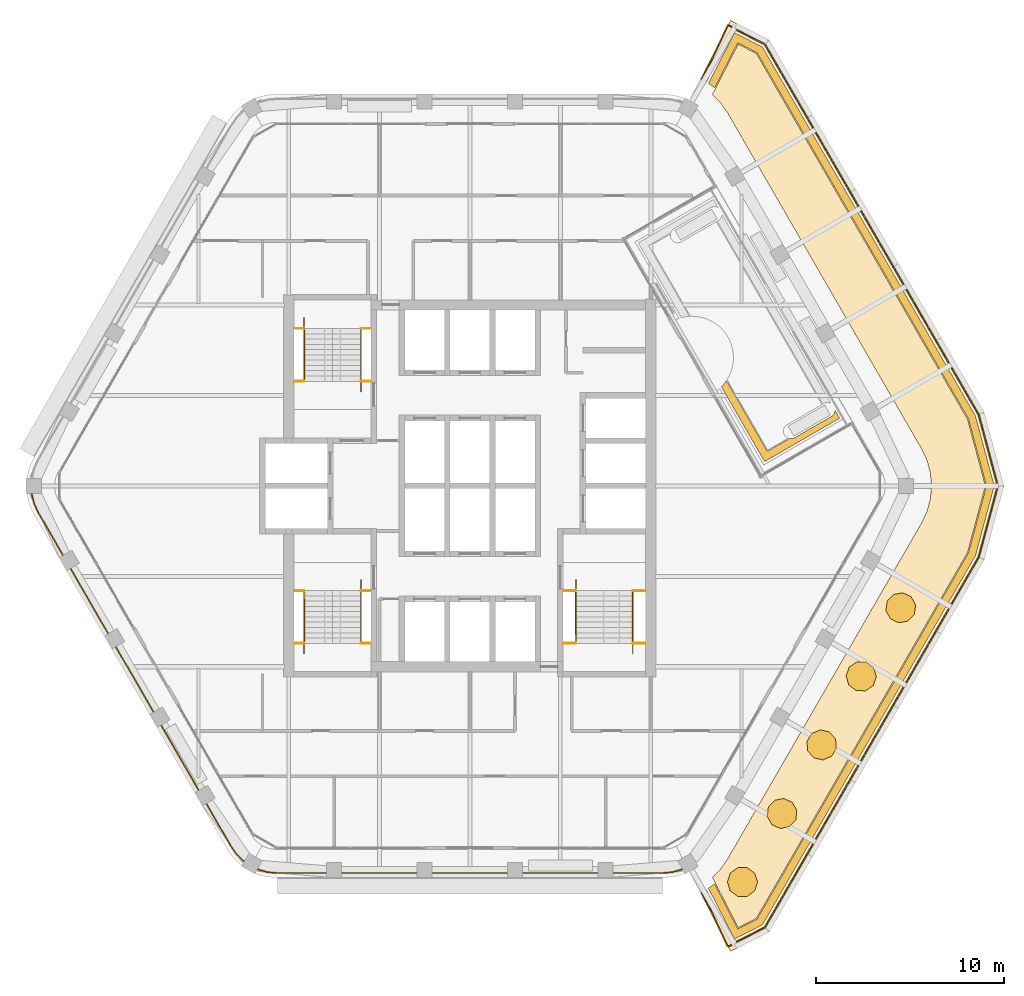
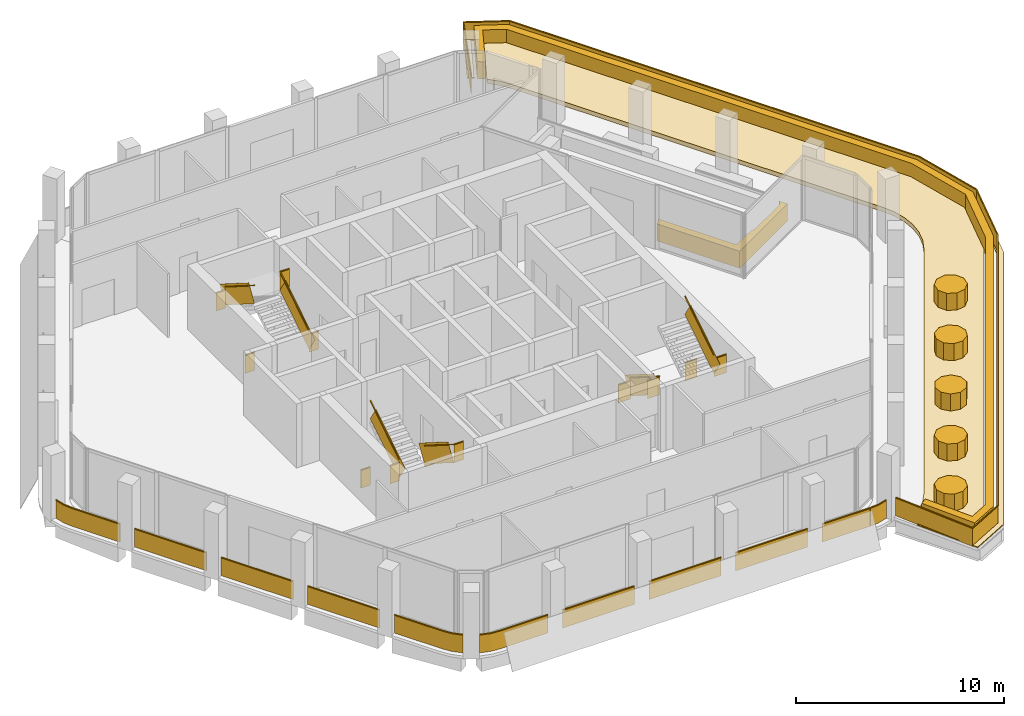
# One storey, part 16 of 17: 9 coverings, 9 railings.
"""IFC4 building model written with IfcOpenShell, lengths in metres."""

from ifc_helpers import new_model, si_unit, direction, frame, frame_2d, origin, origin_2d, place, context, subcontext, project, spatial, polyline, rectangle, outline, extrude, material, layer, layer_set, type_object, element, save


model = new_model("IFC4")

# Units and contexts
model_context = context("Model", 3, precision=1e-05, world=origin(), true_north=direction((0.0, 1.0)))
body_context = subcontext(model_context, "Body", "Model", "MODEL_VIEW")
ifc_project = project(units=[si_unit("LENGTHUNIT", "METRE"), si_unit("AREAUNIT", "SQUARE_METRE"), si_unit("VOLUMEUNIT", "CUBIC_METRE"), si_unit("PLANEANGLEUNIT", "RADIAN"), si_unit("MASSUNIT", "GRAM", prefix="KILO")], contexts=[model_context])

# Site, building, storey
site_placement = place(None, origin())
site = spatial("IfcSite", under=ifc_project, at=site_placement, CompositionType="ELEMENT")
building_placement = place(site_placement, origin())
building = spatial("IfcBuilding", under=site, at=building_placement, Name="Kolab Exchange Tower", CompositionType="ELEMENT")
storey_placement = place(building_placement, frame((0.0, 0.0, 285.199951171875)))
storey = spatial("IfcBuildingStorey", under=building, at=storey_placement, Name="L64", CompositionType="ELEMENT", Elevation=285.199951171875)

# Coverings
ifc_material_1 = material(Name="Flowering shrub planting", Category="soil")
ifc_layer_1 = layer(ifc_material_1, 1.0)
ifc_layer_set_1 = layer_set([ifc_layer_1], Name="Flowering shrub planting")
covering_type_1 = type_object("IfcCoveringType", Name="FLOWERING SHRUB PLANTING", PredefinedType="USERDEFINED", material=ifc_layer_set_1)
covering_1_placement = place(storey_placement, frame((0.0, 0.0, 0.25)))
element("IfcCovering", 1, at=covering_1_placement, inside=storey, type_object=covering_type_1, Name="Flowering shrub", ObjectType="PLANTING", PredefinedType="USERDEFINED", context=body_context, shape_type="SweptSolid", body=[
    extrude(outline(polyline([(15.260986328125, -21.0146484375), (15.1083984375, -20.54443359375), (14.708251953125, -20.25390625), (14.2138671875, -20.25390625), (13.81396484375, -20.54443359375), (13.6611328125, -21.0146484375), (13.81396484375, -21.48486328125), (14.2138671875, -21.775634765625), (14.708251953125, -21.775634765625), (15.1083984375, -21.48486328125), (15.260986328125, -21.0146484375)])), origin(), (0.0, 0.0, 1.0), 1.0),
])
covering_2_placement = place(storey_placement, frame((0.0, 0.0, 0.25)))
element("IfcCovering", 2, at=covering_2_placement, inside=storey, type_object=covering_type_1, Name="Flowering shrub", ObjectType="PLANTING", PredefinedType="USERDEFINED", context=body_context, shape_type="SweptSolid", body=[
    extrude(outline(polyline([(17.34521484375, -17.218505859375), (17.10205078125, -16.7880859375), (16.652099609375, -16.582763671875), (16.167724609375, -16.680908203125), (15.833251953125, -17.045166015625), (15.777099609375, -17.536376953125), (16.020263671875, -17.966796875), (16.469970703125, -18.17236328125), (16.95458984375, -18.073974609375), (17.288818359375, -17.709716796875), (17.34521484375, -17.218505859375)])), origin(), (0.0, 0.0, 1.0), 1.0),
])
covering_3_placement = place(storey_placement, frame((0.0, 0.0, 0.25)))
element("IfcCovering", 3, at=covering_3_placement, inside=storey, type_object=covering_type_1, Name="Flowering shrub", ObjectType="PLANTING", PredefinedType="USERDEFINED", context=body_context, shape_type="SweptSolid", body=[
    extrude(outline(polyline([(19.39794921875, -13.4287109375), (19.073974609375, -13.05517578125), (18.592529296875, -12.943115234375), (18.13720703125, -13.1357421875), (17.8818359375, -13.559326171875), (17.92431640625, -14.0517578125), (18.248046875, -14.425537109375), (18.729736328125, -14.537353515625), (19.18505859375, -14.3447265625), (19.4404296875, -13.92138671875), (19.39794921875, -13.4287109375)])), origin(), (0.0, 0.0, 1.0), 1.0),
])
covering_4_placement = place(storey_placement, frame((0.0, 0.0, 0.25)))
element("IfcCovering", 4, at=covering_4_placement, inside=storey, type_object=covering_type_1, Name="Flowering shrub", ObjectType="PLANTING", PredefinedType="USERDEFINED", context=body_context, shape_type="SweptSolid", body=[
    extrude(outline(polyline([(21.42138671875, -9.6513671875), (21.02978515625, -9.349609375), (20.535400390625, -9.33544921875), (20.12744140625, -9.61474609375), (19.96142578125, -10.080322265625), (20.100830078125, -10.5546875), (20.492431640625, -10.856689453125), (20.986572265625, -10.87060546875), (21.394775390625, -10.591552734375), (21.560791015625, -10.125732421875), (21.42138671875, -9.6513671875)])), origin(), (0.0, 0.0, 1.0), 1.0),
])
covering_5_placement = place(storey_placement, frame((0.0, 0.0, 0.25)))
element("IfcCovering", 5, at=covering_5_placement, inside=storey, type_object=covering_type_1, Name="Flowering shrub", ObjectType="PLANTING", PredefinedType="USERDEFINED", context=body_context, shape_type="SweptSolid", body=[
    extrude(outline(polyline([(23.41845703125, -5.89208984375), (22.974609375, -5.674072265625), (22.487548828125, -5.758544921875), (22.14306640625, -6.113037109375), (22.07275390625, -6.6025390625), (22.3037109375, -7.039794921875), (22.74755859375, -7.2578125), (23.234619140625, -7.17333984375), (23.5791015625, -6.818603515625), (23.6494140625, -6.3291015625), (23.41845703125, -5.89208984375)])), origin(), (0.0, 0.0, 1.0), 1.0),
])

# Railings
ifc_material_2 = material(Name="Stainless steel 316", Category="steel")
railing_type_1 = type_object("IfcRailingType", Name="GUARD 1100", PredefinedType="GUARDRAIL", material=ifc_material_2)
railing_1_placement = place(storey_placement, frame((-9.324951171875, 5.550048828125, 0.0)))
element("IfcRailing", 6, at=railing_1_placement, inside=storey, type_object=railing_type_1, Name="Guard ST1", PredefinedType="GUARDRAIL", context=body_context, shape_type="SweptSolid", body=[
    extrude(rectangle(XDim=0.05, YDim=0.05, at=origin_2d()), frame((0.0, 0.0, 1.0751953125), z_axis=(1.0, 0.0, 0.0), x_axis=(0.0, 1.0, 0.0)), (0.0, 0.0, 1.0), 0.52734375),
    extrude(rectangle(XDim=0.012, YDim=1.05009765625, at=frame_2d((0.0, 0.525146484375))), frame((0.0, 0.0, 0.0), z_axis=(1.0, 0.0, 0.0), x_axis=(0.0, 1.0, 0.0)), (0.0, 0.0, 1.0), 0.52734375),
    extrude(rectangle(XDim=0.05, YDim=0.05, at=origin_2d()), frame((3.54736328125, 0.0, 1.0751953125), z_axis=(1.0, 0.0, 0.0), x_axis=(0.0, 1.0, 0.0)), (0.0, 0.0, 1.0), 0.527587890625),
    extrude(rectangle(XDim=0.012, YDim=1.05009765625, at=frame_2d((0.0, 0.525146484375))), frame((3.54736328125, 0.0, 0.0), z_axis=(1.0, 0.0, 0.0), x_axis=(0.0, 1.0, 0.0)), (0.0, 0.0, 1.0), 0.527587890625),
    extrude(rectangle(XDim=0.05, YDim=0.05, at=origin_2d()), frame((0.0, 2.800048828125, 3.025146484375), z_axis=(1.0, 0.0, 0.0), x_axis=(0.0, 1.0, 0.0)), (0.0, 0.0, 1.0), 0.52734375),
    extrude(rectangle(XDim=0.012, YDim=1.05009765625, at=frame_2d((0.0, 0.525146484375))), frame((0.0, 2.800048828125, 1.949951171875), z_axis=(1.0, 0.0, 0.0), x_axis=(0.0, 1.0, 0.0)), (0.0, 0.0, 1.0), 0.52734375),
    extrude(rectangle(XDim=0.05, YDim=0.05, at=origin_2d()), frame((3.54736328125, 2.800048828125, 3.025146484375), z_axis=(1.0, 0.0, 0.0), x_axis=(0.0, 1.0, 0.0)), (0.0, 0.0, 1.0), 0.527587890625),
    extrude(rectangle(XDim=0.012, YDim=1.05009765625, at=frame_2d((0.0, 0.525146484375))), frame((3.54736328125, 2.800048828125, 1.949951171875), z_axis=(1.0, 0.0, 0.0), x_axis=(0.0, 1.0, 0.0)), (0.0, 0.0, 1.0), 0.527587890625),
])
railing_2_placement = place(storey_placement, frame((-5.777587890625, 5.550048828125, 0.17724609375)))
element("IfcRailing", 7, at=railing_2_placement, inside=storey, type_object=railing_type_1, Name="Handrail guard ST1", PredefinedType="GUARDRAIL", context=body_context, shape_type="SweptSolid", body=[
    extrude(rectangle(XDim=0.05, YDim=0.05, at=origin_2d()), frame((0.0, 0.0, 1.0751953125), z_axis=(0.0, 0.844908973607, 0.534910110503), x_axis=(-1.0, 0.0, 0.0)), (0.0, 0.0, 1.0), 3.31396484375),
    extrude(rectangle(XDim=0.012, YDim=1.05009765625, at=frame_2d((0.0, 0.525146484375))), frame((0.0, 0.0, 0.0), z_axis=(0.0, 0.844908973607, 0.534910110503), x_axis=(-1.0, 0.0, 0.0)), (0.0, 0.0, 1.0), 3.31396484375),
    extrude(rectangle(XDim=0.05, YDim=0.05, at=origin_2d()), frame((-3.02001953125, 2.800048828125, 3.025390625), z_axis=(0.0, -0.844908973607, 0.534910110503), x_axis=(1.0, 0.0, 0.0)), (0.0, 0.0, 1.0), 3.31396484375),
    extrude(rectangle(XDim=0.012, YDim=1.05009765625, at=frame_2d((0.0, 0.525146484375))), frame((-3.02001953125, 2.800048828125, 1.9501953125), z_axis=(0.0, -0.844908973607, 0.534910110503), x_axis=(1.0, 0.0, 0.0)), (0.0, 0.0, 1.0), 3.31396484375),
])
railing_3_placement = place(storey_placement, frame((-9.324951171875, -5.550048828125, 0.0)))
element("IfcRailing", 8, at=railing_3_placement, inside=storey, type_object=railing_type_1, Name="Guard ST3", PredefinedType="GUARDRAIL", context=body_context, shape_type="SweptSolid", body=[
    extrude(rectangle(XDim=0.05, YDim=0.05, at=origin_2d()), frame((0.0, 0.0, 1.0751953125), z_axis=(1.0, 0.0, 0.0), x_axis=(0.0, 1.0, 0.0)), (0.0, 0.0, 1.0), 0.52734375),
    extrude(rectangle(XDim=0.012, YDim=1.05009765625, at=frame_2d((0.0, 0.525146484375))), frame((0.0, 0.0, 0.0), z_axis=(1.0, 0.0, 0.0), x_axis=(0.0, 1.0, 0.0)), (0.0, 0.0, 1.0), 0.52734375),
    extrude(rectangle(XDim=0.05, YDim=0.05, at=origin_2d()), frame((3.54736328125, 0.0, 1.0751953125), z_axis=(1.0, 0.0, 0.0), x_axis=(0.0, 1.0, 0.0)), (0.0, 0.0, 1.0), 0.527587890625),
    extrude(rectangle(XDim=0.012, YDim=1.05009765625, at=frame_2d((0.0, 0.525146484375))), frame((3.54736328125, 0.0, 0.0), z_axis=(1.0, 0.0, 0.0), x_axis=(0.0, 1.0, 0.0)), (0.0, 0.0, 1.0), 0.527587890625),
    extrude(rectangle(XDim=0.05, YDim=0.05, at=origin_2d()), frame((0.0, -2.800048828125, 3.025146484375), z_axis=(1.0, 0.0, 0.0), x_axis=(0.0, 1.0, 0.0)), (0.0, 0.0, 1.0), 0.52734375),
    extrude(rectangle(XDim=0.012, YDim=1.05009765625, at=frame_2d((0.0, 0.525146484375))), frame((0.0, -2.800048828125, 1.949951171875), z_axis=(1.0, 0.0, 0.0), x_axis=(0.0, 1.0, 0.0)), (0.0, 0.0, 1.0), 0.52734375),
    extrude(rectangle(XDim=0.05, YDim=0.05, at=origin_2d()), frame((3.54736328125, -2.800048828125, 3.025146484375), z_axis=(1.0, 0.0, 0.0), x_axis=(0.0, 1.0, 0.0)), (0.0, 0.0, 1.0), 0.527587890625),
    extrude(rectangle(XDim=0.012, YDim=1.05009765625, at=frame_2d((0.0, 0.525146484375))), frame((3.54736328125, -2.800048828125, 1.949951171875), z_axis=(1.0, 0.0, 0.0), x_axis=(0.0, 1.0, 0.0)), (0.0, 0.0, 1.0), 0.527587890625),
])
railing_4_placement = place(storey_placement, frame((-5.777587890625, -5.550048828125, 0.17724609375)))
element("IfcRailing", 9, at=railing_4_placement, inside=storey, type_object=railing_type_1, Name="Handrail guard ST3", PredefinedType="GUARDRAIL", context=body_context, shape_type="SweptSolid", body=[
    extrude(rectangle(XDim=0.05, YDim=0.05, at=origin_2d()), frame((0.0, 0.0, 1.0751953125), z_axis=(0.0, -0.844908973607, 0.534910110503), x_axis=(1.0, 0.0, 0.0)), (0.0, 0.0, 1.0), 3.31396484375),
    extrude(rectangle(XDim=0.012, YDim=1.05009765625, at=frame_2d((0.0, 0.525146484375))), frame((0.0, 0.0, 0.0), z_axis=(0.0, -0.844908973607, 0.534910110503), x_axis=(1.0, 0.0, 0.0)), (0.0, 0.0, 1.0), 3.31396484375),
    extrude(rectangle(XDim=0.05, YDim=0.05, at=origin_2d()), frame((-3.02001953125, -2.800048828125, 3.025390625), z_axis=(0.0, 0.844908973607, 0.534910110503), x_axis=(-1.0, 0.0, 0.0)), (0.0, 0.0, 1.0), 3.31396484375),
    extrude(rectangle(XDim=0.012, YDim=1.05009765625, at=frame_2d((0.0, 0.525146484375))), frame((-3.02001953125, -2.800048828125, 1.9501953125), z_axis=(0.0, 0.844908973607, 0.534910110503), x_axis=(-1.0, 0.0, 0.0)), (0.0, 0.0, 1.0), 3.31396484375),
])
railing_5_placement = place(storey_placement, frame((4.949951171875, -5.550048828125, 0.0)))
element("IfcRailing", 10, at=railing_5_placement, inside=storey, type_object=railing_type_1, Name="Guard ST2", PredefinedType="GUARDRAIL", context=body_context, shape_type="SweptSolid", body=[
    extrude(rectangle(XDim=0.05, YDim=0.05, at=origin_2d()), frame((0.0, 0.0, 1.0751953125), z_axis=(1.0, 0.0, 0.0), x_axis=(0.0, 1.0, 0.0)), (0.0, 0.0, 1.0), 0.677490234375),
    extrude(rectangle(XDim=0.012, YDim=1.05009765625, at=frame_2d((0.0, 0.525146484375))), frame((0.0, 0.0, 0.0), z_axis=(1.0, 0.0, 0.0), x_axis=(0.0, 1.0, 0.0)), (0.0, 0.0, 1.0), 0.677490234375),
    extrude(rectangle(XDim=0.05, YDim=0.05, at=origin_2d()), frame((3.697509765625, 0.0, 1.0751953125), z_axis=(1.0, 0.0, 0.0), x_axis=(0.0, 1.0, 0.0)), (0.0, 0.0, 1.0), 0.677490234375),
    extrude(rectangle(XDim=0.012, YDim=1.05009765625, at=frame_2d((0.0, 0.525146484375))), frame((3.697509765625, 0.0, 0.0), z_axis=(1.0, 0.0, 0.0), x_axis=(0.0, 1.0, 0.0)), (0.0, 0.0, 1.0), 0.677490234375),
    extrude(rectangle(XDim=0.05, YDim=0.05, at=origin_2d()), frame((0.0, -2.800048828125, 3.025146484375), z_axis=(1.0, 0.0, 0.0), x_axis=(0.0, 1.0, 0.0)), (0.0, 0.0, 1.0), 0.677490234375),
    extrude(rectangle(XDim=0.012, YDim=1.05009765625, at=frame_2d((0.0, 0.525146484375))), frame((0.0, -2.800048828125, 1.949951171875), z_axis=(1.0, 0.0, 0.0), x_axis=(0.0, 1.0, 0.0)), (0.0, 0.0, 1.0), 0.677490234375),
    extrude(rectangle(XDim=0.05, YDim=0.05, at=origin_2d()), frame((3.697509765625, -2.800048828125, 3.025146484375), z_axis=(1.0, 0.0, 0.0), x_axis=(0.0, 1.0, 0.0)), (0.0, 0.0, 1.0), 0.677490234375),
    extrude(rectangle(XDim=0.012, YDim=1.05009765625, at=frame_2d((0.0, 0.525146484375))), frame((3.697509765625, -2.800048828125, 1.949951171875), z_axis=(1.0, 0.0, 0.0), x_axis=(0.0, 1.0, 0.0)), (0.0, 0.0, 1.0), 0.677490234375),
])
railing_6_placement = place(storey_placement, frame((5.62744140625, -5.550048828125, 0.17724609375)))
element("IfcRailing", 11, at=railing_6_placement, inside=storey, type_object=railing_type_1, Name="Handrail guard ST2", PredefinedType="GUARDRAIL", context=body_context, shape_type="SweptSolid", body=[
    extrude(rectangle(XDim=0.05, YDim=0.05, at=origin_2d()), frame((0.0, 0.0, 1.0751953125), z_axis=(0.0, -0.844908973607, 0.534910110503), x_axis=(1.0, 0.0, 0.0)), (0.0, 0.0, 1.0), 3.31396484375),
    extrude(rectangle(XDim=0.012, YDim=1.05009765625, at=frame_2d((0.0, 0.525146484375))), frame((0.0, 0.0, 0.0), z_axis=(0.0, -0.844908973607, 0.534910110503), x_axis=(1.0, 0.0, 0.0)), (0.0, 0.0, 1.0), 3.31396484375),
    extrude(rectangle(XDim=0.05, YDim=0.05, at=origin_2d()), frame((3.02001953125, -2.800048828125, 3.025390625), z_axis=(0.0, 0.844908973607, 0.534910110503), x_axis=(-1.0, 0.0, 0.0)), (0.0, 0.0, 1.0), 3.31396484375),
    extrude(rectangle(XDim=0.012, YDim=1.05009765625, at=frame_2d((0.0, 0.525146484375))), frame((3.02001953125, -2.800048828125, 1.9501953125), z_axis=(0.0, 0.844908973607, 0.534910110503), x_axis=(-1.0, 0.0, 0.0)), (0.0, 0.0, 1.0), 3.31396484375),
])
ifc_material_3 = material(Name="Steel S235", Category="steel")
railing_type_2 = type_object("IfcRailingType", Name="GUARD 1100 GLASS BALUSTRADE AND STEEL TOP RAIL", PredefinedType="GUARDRAIL", material=ifc_material_3)
railing_7_placement = place(storey_placement, frame((-11.280517578125, -20.335205078125, 0.0)))
element("IfcRailing", 12, at=railing_7_placement, inside=storey, type_object=railing_type_2, Name="Guard", PredefinedType="GUARDRAIL", context=body_context, shape_type="SweptSolid", body=[
    extrude(rectangle(XDim=0.05, YDim=0.05, at=origin_2d()), frame((0.0, 0.0, 1.0751953125), z_axis=(0.959212061764, -0.282687496304, 0.0), x_axis=(0.282687496304, 0.959212061764, 0.0)), (0.0, 0.0, 1.0), 0.557861328125),
    extrude(rectangle(XDim=0.012, YDim=1.05009765625, at=frame_2d((0.0, 0.525146484375))), frame((0.0, 0.0, 0.0), z_axis=(0.959212061764, -0.282687496304, 0.0), x_axis=(0.282687496304, 0.959212061764, 0.0)), (0.0, 0.0, 1.0), 0.557861328125),
    extrude(rectangle(XDim=0.05, YDim=0.05, at=origin_2d()), frame((0.53515625, -0.15771484375, 1.0751953125), z_axis=(0.996196482496, -0.087135344505, 0.0), x_axis=(0.087135344505, 0.996196482496, 0.0)), (0.0, 0.0, 1.0), 0.47900390625),
    extrude(rectangle(XDim=0.012, YDim=1.05009765625, at=frame_2d((0.0, 0.525146484375))), frame((0.53515625, -0.15771484375, 0.0), z_axis=(0.996196482496, -0.087135344505, 0.0), x_axis=(0.087135344505, 0.996196482496, 0.0)), (0.0, 0.0, 1.0), 0.47900390625),
    extrude(rectangle(XDim=0.05, YDim=0.05, at=origin_2d()), frame((1.012451171875, -0.199462890625, 1.0751953125), z_axis=(1.0, 0.0, 0.0), x_axis=(0.0, 1.0, 0.0)), (0.0, 0.0, 1.0), 2.66796875),
    extrude(rectangle(XDim=0.012, YDim=1.05009765625, at=frame_2d((0.0, 0.525146484375))), frame((1.012451171875, -0.199462890625, 0.0), z_axis=(1.0, 0.0, 0.0), x_axis=(0.0, 1.0, 0.0)), (0.0, 0.0, 1.0), 2.66796875),
    extrude(rectangle(XDim=0.05, YDim=0.05, at=origin_2d()), frame((4.48046875, -0.199462890625, 1.0751953125), z_axis=(1.0, 0.0, 0.0), x_axis=(0.0, 1.0, 0.0)), (0.0, 0.0, 1.0), 4.0),
    extrude(rectangle(XDim=0.012, YDim=1.05009765625, at=frame_2d((0.0, 0.525146484375))), frame((4.48046875, -0.199462890625, 0.0), z_axis=(1.0, 0.0, 0.0), x_axis=(0.0, 1.0, 0.0)), (0.0, 0.0, 1.0), 4.0),
    extrude(rectangle(XDim=0.05, YDim=0.05, at=origin_2d()), frame((9.280517578125, -0.199462890625, 1.0751953125), z_axis=(1.0, 0.0, 0.0), x_axis=(0.0, 1.0, 0.0)), (0.0, 0.0, 1.0), 4.0),
    extrude(rectangle(XDim=0.012, YDim=1.05009765625, at=frame_2d((0.0, 0.525146484375))), frame((9.280517578125, -0.199462890625, 0.0), z_axis=(1.0, 0.0, 0.0), x_axis=(0.0, 1.0, 0.0)), (0.0, 0.0, 1.0), 4.0),
    extrude(rectangle(XDim=0.05, YDim=0.05, at=origin_2d()), frame((14.08056640625, -0.199462890625, 1.0751953125), z_axis=(1.0, 0.0, 0.0), x_axis=(0.0, 1.0, 0.0)), (0.0, 0.0, 1.0), 4.0),
    extrude(rectangle(XDim=0.012, YDim=1.05009765625, at=frame_2d((0.0, 0.525146484375))), frame((14.08056640625, -0.199462890625, 0.0), z_axis=(1.0, 0.0, 0.0), x_axis=(0.0, 1.0, 0.0)), (0.0, 0.0, 1.0), 4.0),
    extrude(rectangle(XDim=0.05, YDim=0.05, at=origin_2d()), frame((18.880615234375, -0.199462890625, 1.0751953125), z_axis=(1.0, 0.0, 0.0), x_axis=(0.0, 1.0, 0.0)), (0.0, 0.0, 1.0), 2.66796875),
    extrude(rectangle(XDim=0.012, YDim=1.05009765625, at=frame_2d((0.0, 0.525146484375))), frame((18.880615234375, -0.199462890625, 0.0), z_axis=(1.0, 0.0, 0.0), x_axis=(0.0, 1.0, 0.0)), (0.0, 0.0, 1.0), 2.66796875),
    extrude(rectangle(XDim=0.05, YDim=0.05, at=origin_2d()), frame((21.548583984375, -0.199462890625, 1.0751953125), z_axis=(0.996196482496, 0.087135344505, 0.0), x_axis=(-0.087135344505, 0.996196482496, 0.0)), (0.0, 0.0, 1.0), 0.47900390625),
    extrude(rectangle(XDim=0.012, YDim=1.05009765625, at=frame_2d((0.0, 0.525146484375))), frame((21.548583984375, -0.199462890625, 0.0), z_axis=(0.996196482496, 0.087135344505, 0.0), x_axis=(-0.087135344505, 0.996196482496, 0.0)), (0.0, 0.0, 1.0), 0.47900390625),
    extrude(rectangle(XDim=0.05, YDim=0.05, at=origin_2d()), frame((22.02587890625, -0.15771484375, 1.0751953125), z_axis=(0.959212061764, 0.282687496304, 0.0), x_axis=(-0.282687496304, 0.959212061764, 0.0)), (0.0, 0.0, 1.0), 0.557861328125),
    extrude(rectangle(XDim=0.012, YDim=1.05009765625, at=frame_2d((0.0, 0.525146484375))), frame((22.02587890625, -0.15771484375, 0.0), z_axis=(0.959212061764, 0.282687496304, 0.0), x_axis=(-0.282687496304, 0.959212061764, 0.0)), (0.0, 0.0, 1.0), 0.557861328125),
])
railing_8_placement = place(storey_placement, frame((-23.2509765625, -0.3984375, 0.0)))
element("IfcRailing", 13, at=railing_8_placement, inside=storey, type_object=railing_type_2, Name="Guard", PredefinedType="GUARDRAIL", context=body_context, shape_type="SweptSolid", body=[
    extrude(rectangle(XDim=0.05, YDim=0.05, at=origin_2d()), frame((0.0, 0.0, 1.0751953125), z_axis=(0.234597748196, -0.972092534968, 0.0), x_axis=(0.972092534968, 0.234597748196, 0.0)), (0.0, 0.0, 1.0), 0.557861328125),
    extrude(rectangle(XDim=0.012, YDim=1.05009765625, at=frame_2d((0.0, 0.525146484375))), frame((0.0, 0.0, 0.0), z_axis=(0.234597748196, -0.972092534968, 0.0), x_axis=(0.972092534968, 0.234597748196, 0.0)), (0.0, 0.0, 1.0), 0.557861328125),
    extrude(rectangle(XDim=0.05, YDim=0.05, at=origin_2d()), frame((0.130859375, -0.542236328125, 1.0751953125), z_axis=(0.422801802984, -0.906222177721, 0.0), x_axis=(0.906222177721, 0.422801802984, 0.0)), (0.0, 0.0, 1.0), 0.479248046875),
    extrude(rectangle(XDim=0.012, YDim=1.05009765625, at=frame_2d((0.0, 0.525146484375))), frame((0.130859375, -0.542236328125, 0.0), z_axis=(0.422801802984, -0.906222177721, 0.0), x_axis=(0.906222177721, 0.422801802984, 0.0)), (0.0, 0.0, 1.0), 0.479248046875),
    extrude(rectangle(XDim=0.05, YDim=0.05, at=origin_2d()), frame((0.33349609375, -0.9765625, 1.0751953125), z_axis=(0.499997052475, -0.866027105532, 0.0), x_axis=(0.866027105532, 0.499997052475, 0.0)), (0.0, 0.0, 1.0), 2.66796875),
    extrude(rectangle(XDim=0.012, YDim=1.05009765625, at=frame_2d((0.0, 0.525146484375))), frame((0.33349609375, -0.9765625, 0.0), z_axis=(0.499997052475, -0.866027105532, 0.0), x_axis=(0.866027105532, 0.499997052475, 0.0)), (0.0, 0.0, 1.0), 2.66796875),
    extrude(rectangle(XDim=0.05, YDim=0.05, at=origin_2d()), frame((2.0673828125, -3.97998046875, 1.0751953125), z_axis=(0.49999894854, -0.866026010844, 0.0), x_axis=(0.866026010844, 0.49999894854, 0.0)), (0.0, 0.0, 1.0), 4.0),
    extrude(rectangle(XDim=0.012, YDim=1.05009765625, at=frame_2d((0.0, 0.525146484375))), frame((2.0673828125, -3.97998046875, 0.0), z_axis=(0.49999894854, -0.866026010844, 0.0), x_axis=(0.866026010844, 0.49999894854, 0.0)), (0.0, 0.0, 1.0), 4.0),
    extrude(rectangle(XDim=0.05, YDim=0.05, at=origin_2d()), frame((4.467529296875, -8.13671875, 1.0751953125), z_axis=(0.49999894854, -0.866026010844, 0.0), x_axis=(0.866026010844, 0.49999894854, 0.0)), (0.0, 0.0, 1.0), 4.0),
    extrude(rectangle(XDim=0.012, YDim=1.05009765625, at=frame_2d((0.0, 0.525146484375))), frame((4.467529296875, -8.13671875, 0.0), z_axis=(0.49999894854, -0.866026010844, 0.0), x_axis=(0.866026010844, 0.49999894854, 0.0)), (0.0, 0.0, 1.0), 4.0),
    extrude(rectangle(XDim=0.05, YDim=0.05, at=origin_2d()), frame((6.867431640625, -12.293701171875, 1.0751953125), z_axis=(0.49999894854, -0.866026010844, 0.0), x_axis=(0.866026010844, 0.49999894854, 0.0)), (0.0, 0.0, 1.0), 4.0),
    extrude(rectangle(XDim=0.012, YDim=1.05009765625, at=frame_2d((0.0, 0.525146484375))), frame((6.867431640625, -12.293701171875, 0.0), z_axis=(0.49999894854, -0.866026010844, 0.0), x_axis=(0.866026010844, 0.49999894854, 0.0)), (0.0, 0.0, 1.0), 4.0),
    extrude(rectangle(XDim=0.05, YDim=0.05, at=origin_2d()), frame((9.267578125, -16.45068359375, 1.0751953125), z_axis=(0.499997052475, -0.866027105532, 0.0), x_axis=(0.866027105532, 0.499997052475, 0.0)), (0.0, 0.0, 1.0), 2.66796875),
    extrude(rectangle(XDim=0.012, YDim=1.05009765625, at=frame_2d((0.0, 0.525146484375))), frame((9.267578125, -16.45068359375, 0.0), z_axis=(0.499997052475, -0.866027105532, 0.0), x_axis=(0.866027105532, 0.499997052475, 0.0)), (0.0, 0.0, 1.0), 2.66796875),
    extrude(rectangle(XDim=0.05, YDim=0.05, at=origin_2d()), frame((10.6015625, -18.76123046875, 1.0751953125), z_axis=(0.573599091554, -0.819136180478, 0.0), x_axis=(0.819136180478, 0.573599091554, 0.0)), (0.0, 0.0, 1.0), 0.479248046875),
    extrude(rectangle(XDim=0.012, YDim=1.05009765625, at=frame_2d((0.0, 0.525146484375))), frame((10.6015625, -18.76123046875, 0.0), z_axis=(0.573599091554, -0.819136180478, 0.0), x_axis=(0.819136180478, 0.573599091554, 0.0)), (0.0, 0.0, 1.0), 0.479248046875),
    extrude(rectangle(XDim=0.05, YDim=0.05, at=origin_2d()), frame((10.87646484375, -19.15380859375, 1.0751953125), z_axis=(0.724189990991, -0.689600505327, 0.0), x_axis=(0.689600505327, 0.724189990991, 0.0)), (0.0, 0.0, 1.0), 0.5576171875),
    extrude(rectangle(XDim=0.012, YDim=1.05009765625, at=frame_2d((0.0, 0.525146484375))), frame((10.87646484375, -19.15380859375, 0.0), z_axis=(0.724189990991, -0.689600505327, 0.0), x_axis=(0.689600505327, 0.724189990991, 0.0)), (0.0, 0.0, 1.0), 0.5576171875),
])
railing_9_placement = place(storey_placement, frame((11.76806640625, 20.382568359375, 0.0)))
element("IfcRailing", 14, at=railing_9_placement, inside=storey, type_object=railing_type_2, Name="Terrace guard", PredefinedType="GUARDRAIL", context=body_context, shape_type="SweptSolid", body=[
    extrude(rectangle(XDim=0.05, YDim=0.05, at=origin_2d()), frame((0.0, 0.0, 1.0751953125), z_axis=(0.426178722185, 0.904638986976, 0.0), x_axis=(-0.904638986976, 0.426178722185, 0.0)), (0.0, 0.0, 1.0), 4.4970703125),
    extrude(rectangle(XDim=0.012, YDim=1.05009765625, at=frame_2d((0.0, 0.525146484375))), frame((0.0, 0.0, 0.0), z_axis=(0.426178722185, 0.904638986976, 0.0), x_axis=(-0.904638986976, 0.426178722185, 0.0)), (0.0, 0.0, 1.0), 4.4970703125),
    extrude(rectangle(XDim=0.05, YDim=0.05, at=origin_2d()), frame((1.91650390625, 4.068115234375, 1.0751953125), z_axis=(0.889930468546, -0.456096219184, 0.0), x_axis=(0.456096219184, 0.889930468546, 0.0)), (0.0, 0.0, 1.0), 2.226318359375),
    extrude(rectangle(XDim=0.012, YDim=1.05009765625, at=frame_2d((0.0, 0.525146484375))), frame((1.91650390625, 4.068115234375, 0.0), z_axis=(0.889930468546, -0.456096219184, 0.0), x_axis=(0.456096219184, 0.889930468546, 0.0)), (0.0, 0.0, 1.0), 2.226318359375),
    extrude(rectangle(XDim=0.05, YDim=0.05, at=origin_2d()), frame((3.897705078125, 3.052734375, 1.0751953125), z_axis=(0.499995961078, -0.866027735645, 0.0), x_axis=(0.866027735645, 0.499995961078, 0.0)), (0.0, 0.0, 1.0), 22.691162109375),
    extrude(rectangle(XDim=0.012, YDim=1.05009765625, at=frame_2d((0.0, 0.525146484375))), frame((3.897705078125, 3.052734375, 0.0), z_axis=(0.499995961078, -0.866027735645, 0.0), x_axis=(0.866027735645, 0.499995961078, 0.0)), (0.0, 0.0, 1.0), 22.691162109375),
    extrude(rectangle(XDim=0.05, YDim=0.05, at=origin_2d()), frame((15.2431640625, -16.598388671875, 1.0751953125), z_axis=(0.258864833081, -0.965913556274, 0.0), x_axis=(0.965913556274, 0.258864833081, 0.0)), (0.0, 0.0, 1.0), 3.917724609375),
    extrude(rectangle(XDim=0.012, YDim=1.05009765625, at=frame_2d((0.0, 0.525146484375))), frame((15.2431640625, -16.598388671875, 0.0), z_axis=(0.258864833081, -0.965913556274, 0.0), x_axis=(0.965913556274, 0.258864833081, 0.0)), (0.0, 0.0, 1.0), 3.917724609375),
    extrude(rectangle(XDim=0.05, YDim=0.05, at=origin_2d()), frame((16.25732421875, -20.382568359375, 1.0751953125), z_axis=(-0.258864833081, -0.965913556274, 0.0), x_axis=(0.965913556274, -0.258864833081, 0.0)), (0.0, 0.0, 1.0), 3.917724609375),
    extrude(rectangle(XDim=0.012, YDim=1.05009765625, at=frame_2d((0.0, 0.525146484375))), frame((16.25732421875, -20.382568359375, 0.0), z_axis=(-0.258864833081, -0.965913556274, 0.0), x_axis=(0.965913556274, -0.258864833081, 0.0)), (0.0, 0.0, 1.0), 3.917724609375),
    extrude(rectangle(XDim=0.05, YDim=0.05, at=origin_2d()), frame((15.2431640625, -24.166748046875, 1.0751953125), z_axis=(-0.499995961078, -0.866027735645, 0.0), x_axis=(0.866027735645, -0.499995961078, 0.0)), (0.0, 0.0, 1.0), 22.691162109375),
    extrude(rectangle(XDim=0.012, YDim=1.05009765625, at=frame_2d((0.0, 0.525146484375))), frame((15.2431640625, -24.166748046875, 0.0), z_axis=(-0.499995961078, -0.866027735645, 0.0), x_axis=(0.866027735645, -0.499995961078, 0.0)), (0.0, 0.0, 1.0), 22.691162109375),
    extrude(rectangle(XDim=0.05, YDim=0.05, at=origin_2d()), frame((3.897705078125, -43.81787109375, 1.0751953125), z_axis=(-0.889930468546, -0.456096219184, 0.0), x_axis=(0.456096219184, -0.889930468546, 0.0)), (0.0, 0.0, 1.0), 2.226318359375),
    extrude(rectangle(XDim=0.012, YDim=1.05009765625, at=frame_2d((0.0, 0.525146484375))), frame((3.897705078125, -43.81787109375, 0.0), z_axis=(-0.889930468546, -0.456096219184, 0.0), x_axis=(0.456096219184, -0.889930468546, 0.0)), (0.0, 0.0, 1.0), 2.226318359375),
    extrude(rectangle(XDim=0.05, YDim=0.05, at=origin_2d()), frame((1.91650390625, -44.833251953125, 1.0751953125), z_axis=(-0.426178722185, 0.904638986976, 0.0), x_axis=(-0.904638986976, -0.426178722185, 0.0)), (0.0, 0.0, 1.0), 4.4970703125),
    extrude(rectangle(XDim=0.012, YDim=1.05009765625, at=frame_2d((0.0, 0.525146484375))), frame((1.91650390625, -44.833251953125, 0.0), z_axis=(-0.426178722185, 0.904638986976, 0.0), x_axis=(-0.904638986976, -0.426178722185, 0.0)), (0.0, 0.0, 1.0), 4.4970703125),
])

# Coverings
ifc_material_4 = material(Name="Planting soil and turf", Category="soil")
ifc_layer_2 = layer(ifc_material_4, 0.25)
ifc_layer_set_2 = layer_set([ifc_layer_2], Name="Planting soil and turf")
covering_type_2 = type_object("IfcCoveringType", Name="PLANTING SOIL AND TURF 250", PredefinedType="USERDEFINED", material=ifc_layer_set_2)
covering_6_placement = place(storey_placement, origin())
element("IfcCovering", 15, at=covering_6_placement, inside=storey, type_object=covering_type_2, Name="Planting soil and turf", ObjectType="PLANTING", PredefinedType="USERDEFINED", context=body_context, shape_type="SweptSolid", body=[
    extrude(outline(polyline([(14.2333984375, 23.43896484375), (15.19873046875, 22.9443359375), (26.40576171875, 3.533203125), (27.352294921875, 0.0), (26.40576171875, -3.533203125), (15.19873046875, -22.9443359375), (14.2333984375, -23.43896484375), (12.861083984375, -20.761474609375), (13.296630859375, -20.325927734375), (13.66796875, -19.79541015625), (23.9775390625, -1.939208984375), (24.251220703125, -1.352294921875), (24.429443359375, -0.6865234375), (24.489501953125, 0.0), (24.429443359375, 0.6865234375), (24.251220703125, 1.352294921875), (23.9775390625, 1.939208984375), (13.66796875, 19.79541015625), (13.296630859375, 20.325927734375), (12.861083984375, 20.761474609375), (14.2333984375, 23.43896484375)])), origin(), (0.0, 0.0, 1.0), 0.25),
])
ifc_material_5 = material(Name="Limestone coping", Category="masonry")
ifc_layer_3 = layer(ifc_material_5, 0.050048828125)
ifc_layer_set_3 = layer_set([ifc_layer_3], Name="Limestone coping")
covering_type_3 = type_object("IfcCoveringType", Name="TERRACE EDGE BAND LIMESTONE 50", PredefinedType="CLADDING", material=ifc_layer_set_3)
covering_7_placement = place(storey_placement, origin())
element("IfcCovering", 16, at=covering_7_placement, inside=storey, type_object=covering_type_3, Name="Terrace edge band", PredefinedType="CLADDING", context=body_context, shape_type="SweptSolid", body=[
    extrude(outline(polyline([(15.866943359375, 23.646728515625), (27.272216796875, 3.892333984375), (28.315185546875, 0.0), (27.272216796875, -3.892333984375), (15.866943359375, -23.646728515625), (13.830078125, -24.690673828125), (12.243408203125, -21.59521484375), (12.3173828125, -21.560791015625), (12.41796875, -21.508544921875), (12.513671875, -21.447509765625), (12.548583984375, -21.423095703125), (13.98193359375, -24.2197265625), (15.615478515625, -23.38232421875), (26.946044921875, -3.757080078125), (27.952880859375, 0.0), (26.946044921875, 3.757080078125), (15.615478515625, 23.38232421875), (13.98193359375, 24.2197265625), (12.548583984375, 21.423095703125), (12.513671875, 21.447509765625), (12.41796875, 21.508544921875), (12.3173828125, 21.560791015625), (12.243408203125, 21.59521484375), (13.830078125, 24.690673828125), (15.866943359375, 23.646728515625)])), origin(), (0.0, 0.0, 1.0), 0.050048828125),
])
ifc_material_6 = material(Name="Terrace hedge planting", Category="soil")
ifc_layer_4 = layer(ifc_material_6, 1.0)
ifc_layer_set_4 = layer_set([ifc_layer_4], Name="Terrace hedge planting")
covering_type_4 = type_object("IfcCoveringType", Name="TERRACE HEDGE 1000 X 400", PredefinedType="USERDEFINED", material=ifc_layer_set_4)
covering_8_placement = place(storey_placement, origin())
element("IfcCovering", 17, at=covering_8_placement, inside=storey, type_object=covering_type_4, Name="Terrace hedge", ObjectType="PLANTING", PredefinedType="USERDEFINED", context=body_context, shape_type="SweptSolid", body=[
    extrude(outline(polyline([(19.617919921875, 3.58984375), (15.63427734375, 1.2900390625), (13.344970703125, 5.2548828125), (13.482666015625, 5.40673828125), (13.611083984375, 5.580078125), (13.615234375, 5.5869140625), (15.78076171875, 1.83642578125), (16.955078125, 2.514404296875), (16.968505859375, 2.511474609375), (17.00732421875, 2.507080078125), (17.046630859375, 2.50634765625), (17.085693359375, 2.509521484375), (17.12451171875, 2.5166015625), (17.162109375, 2.52734375), (17.19873046875, 2.541748046875), (17.233642578125, 2.559814453125), (19.173583984375, 3.6796875), (19.20654296875, 3.700927734375), (19.2373046875, 3.725341796875), (19.265380859375, 3.752685546875), (19.290771484375, 3.78271484375), (19.313232421875, 3.81494140625), (19.332275390625, 3.84912109375), (19.347900390625, 3.88525390625), (19.35986328125, 3.922607421875), (19.3681640625, 3.9609375), (19.37255859375, 4.0), (19.372802734375, 4.014404296875), (19.617919921875, 3.58984375)])), origin(), (0.0, 0.0, 1.0), 1.0),
])
covering_9_placement = place(storey_placement, origin())
element("IfcCovering", 18, at=covering_9_placement, inside=storey, type_object=covering_type_4, Name="Terrace hedge", ObjectType="PLANTING", PredefinedType="USERDEFINED", context=body_context, shape_type="SweptSolid", body=[
    extrude(outline(polyline([(15.522216796875, 23.2841796875), (26.824951171875, 3.70703125), (27.818359375, 0.0), (26.824951171875, -3.70703125), (15.522216796875, -23.2841796875), (14.038330078125, -24.044677734375), (12.656005859375, -21.347900390625), (12.94189453125, -21.147705078125), (12.985595703125, -21.114013671875), (14.211669921875, -23.50634765625), (15.234619140625, -22.98193359375), (26.4521484375, -3.552734375), (27.404052734375, 0.0), (26.4521484375, 3.552734375), (15.234619140625, 22.98193359375), (14.211669921875, 23.50634765625), (12.985595703125, 21.114013671875), (12.94189453125, 21.147705078125), (12.656005859375, 21.347900390625), (14.038330078125, 24.044677734375), (15.522216796875, 23.2841796875)])), origin(), (0.0, 0.0, 1.0), 1.0),
])

save(model, "model.ifc")
